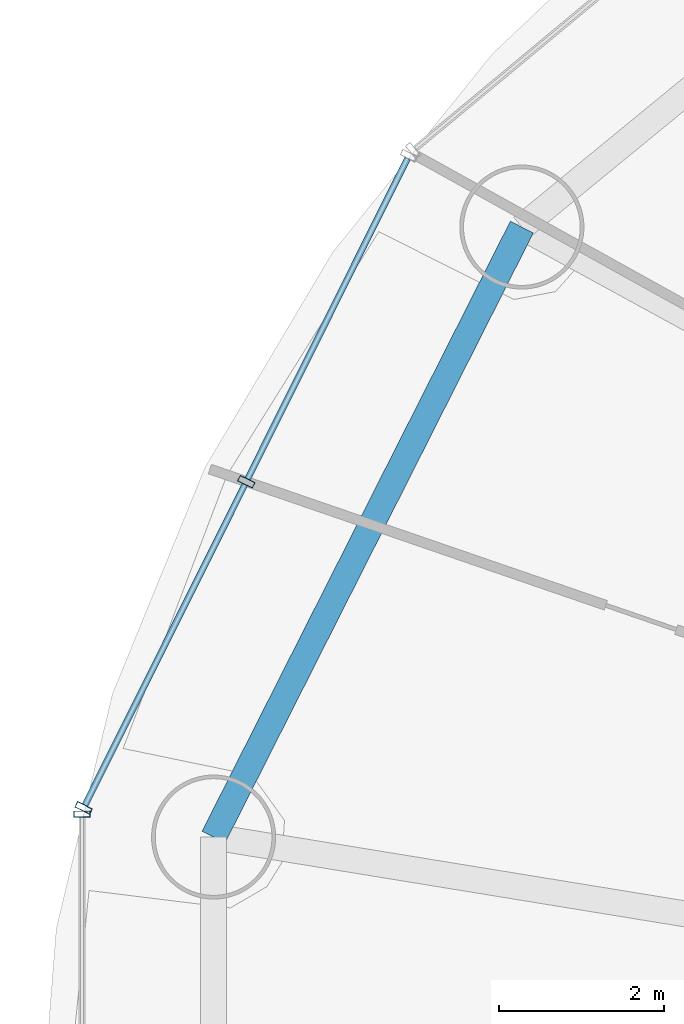
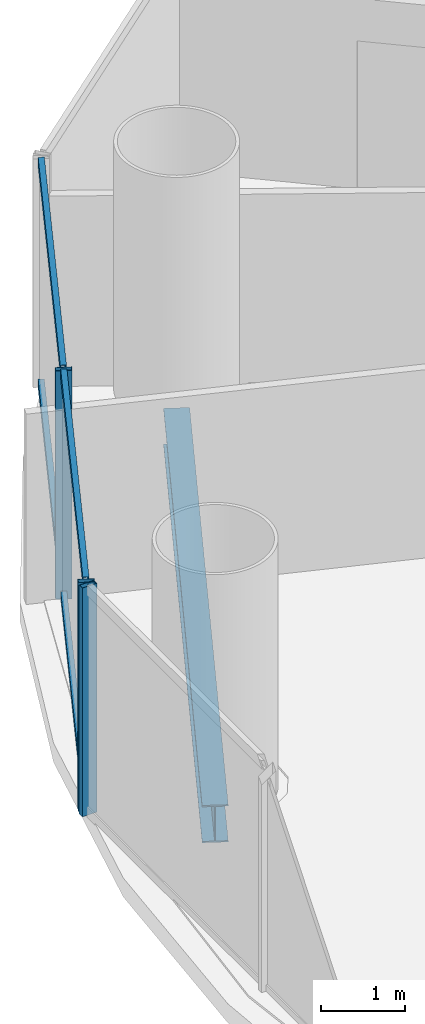
# One storey, part 9 of 29: 7 members, 1 beam, 2 elements without a shape of their own.
"""IFC4 building model written with IfcOpenShell, lengths in metres."""

import ifcopenshell
import ifcopenshell.guid

model = None  # the IFC model being written
_history = None  # IfcOwnerHistory: only IFC2X3 demands one
_inside = {}  # id of a spatial element -> (the spatial element, [elements in it])
_under = {}  # id of a project, library or spatial element -> (it, [spatial elements below it])
_declared = {}  # id of a project -> (the project, [libraries it declares])
_typed = {}  # id of a type object -> (the type object, [elements of that type])
_made_of = {}  # id of a material, layer set ... -> (it, [elements and type objects made of it])


def new_model(schema):
    """Start an empty IFC model of exactly this schema.

    Asked for "IFC4X3", IfcOpenShell would pick the latest addendum, in which some entities
    have other attributes; the version numbers below select the first issue.
    IFC2X3 requires an IfcOwnerHistory on every rooted entity: one is made here for all.
    """
    global model, _history
    if schema == "IFC4X3":
        model = ifcopenshell.file(schema_version=(4, 3, 0, 0))
    else:
        model = ifcopenshell.file(schema=schema)
    _inside.clear()
    _under.clear()
    _declared.clear()
    _typed.clear()
    _made_of.clear()
    _history = None
    if model.schema == "IFC2X3":
        org = make("IfcOrganization", Name="unknown")
        user = make(
            "IfcPersonAndOrganization",
            ThePerson=make("IfcPerson", FamilyName="unknown"),
            TheOrganization=org,
        )
        app = make(
            "IfcApplication",
            ApplicationDeveloper=org,
            Version="unknown",
            ApplicationFullName="unknown",
            ApplicationIdentifier="unknown",
        )
        _history = make(
            "IfcOwnerHistory",
            OwningUser=user,
            OwningApplication=app,
            ChangeAction="ADDED",
            CreationDate=0,
        )
    return model


def make(cls, **values):
    """One entity of the class cls with the attributes given. An attribute that is None is left unset."""
    return model.create_entity(
        cls, **{name: value for name, value in values.items() if value is not None}
    )


def rooted(cls, **values):
    """An entity with a GlobalId (a new one), such as an element, a storey or a relation."""
    return make(cls, GlobalId=ifcopenshell.guid.new(), OwnerHistory=_history, **values)


def si_unit(unit_type, name, prefix=None):
    """IfcSIUnit, for example si_unit("LENGTHUNIT", "METRE", prefix="MILLI")."""
    return make("IfcSIUnit", UnitType=unit_type, Prefix=prefix, Name=name)


def assignment(units):
    """IfcUnitAssignment: the units of a project."""
    return None if units is None else make("IfcUnitAssignment", Units=units)


def point(xyz):
    """IfcCartesianPoint."""
    return None if xyz is None else make("IfcCartesianPoint", Coordinates=xyz)


def direction(xyz):
    """IfcDirection."""
    return None if xyz is None else make("IfcDirection", DirectionRatios=xyz)


def frame(location, z_axis=None, x_axis=None):
    """IfcAxis2Placement3D, a coordinate frame: its origin and axes. An axis left out is left unset."""
    return make(
        "IfcAxis2Placement3D",
        Location=point(location),
        Axis=direction(z_axis),
        RefDirection=direction(x_axis),
    )


def frame_2d(location, x_axis=None):
    """IfcAxis2Placement2D, a coordinate frame in the plane: its origin and x axis."""
    return make(
        "IfcAxis2Placement2D", Location=point(location), RefDirection=direction(x_axis)
    )


def origin():
    """The frame at (0, 0, 0) with its axes left unset."""
    return frame((0.0, 0.0, 0.0))


def origin_2d():
    """The frame at (0, 0) in the plane with its x axis left unset."""
    return frame_2d((0.0, 0.0))


def place(relative_to, where):
    """IfcLocalPlacement: puts the frame where relative to a parent placement (None: the world)."""
    return make(
        "IfcLocalPlacement", PlacementRelTo=relative_to, RelativePlacement=where
    )


def context(
    kind, dimensions, precision=None, world=None, true_north=None, identifier=None
):
    """IfcGeometricRepresentationContext, for example the 3D "Model" context."""
    return make(
        "IfcGeometricRepresentationContext",
        ContextIdentifier=identifier,
        ContextType=kind,
        CoordinateSpaceDimension=dimensions,
        Precision=precision,
        WorldCoordinateSystem=world,
        TrueNorth=true_north,
    )


def subcontext(parent, identifier, kind, view, scale=None):
    """IfcGeometricRepresentationSubContext, for example "Body" below "Model"."""
    return make(
        "IfcGeometricRepresentationSubContext",
        ContextIdentifier=identifier,
        ContextType=kind,
        ParentContext=parent,
        TargetScale=scale,
        TargetView=view,
    )


def project(units=None, contexts=None):
    """IfcProject with its units and contexts."""
    return rooted(
        "IfcProject",
        Name="project",
        RepresentationContexts=contexts,
        UnitsInContext=assignment(units),
    )


def spatial(cls, under=None, at=None, **own):
    """A site, building, storey or space (cls), placed at a placement, below another one or the project."""
    s = rooted(cls, ObjectPlacement=at, **own)
    if under is not None:
        _under.setdefault(under.id(), (under, []))[1].append(s)
    return s


def profile(cls, at=None, kind="AREA", **sizes):
    """A parametric profile (cls). Its sizes go by their IFC names, for example OverallWidth=200.0."""
    return make(cls, ProfileType=kind, Position=at, **sizes)


def hollow_rectangle(**sizes):
    """IfcRectangleHollowProfileDef."""
    return profile("IfcRectangleHollowProfileDef", **sizes)


def i_section(**sizes):
    """IfcIShapeProfileDef."""
    return profile("IfcIShapeProfileDef", **sizes)


def extrude(swept, where, along, depth):
    """IfcExtrudedAreaSolid: the profile swept, set in the frame where, extruded along a direction by depth."""
    return make(
        "IfcExtrudedAreaSolid",
        SweptArea=swept,
        Position=where,
        ExtrudedDirection=direction(along),
        Depth=depth,
    )


def shape(context_of_items, identifier, shape_type, items):
    """IfcShapeRepresentation: the items that make up one representation, for example the "Body"."""
    return make(
        "IfcShapeRepresentation",
        ContextOfItems=context_of_items,
        RepresentationIdentifier=identifier,
        RepresentationType=shape_type,
        Items=items,
    )


def source(mapping_origin, context_of_items, identifier, shape_type, items):
    """IfcRepresentationMap: a shape defined once, which mapped items show again and again."""
    return make(
        "IfcRepresentationMap",
        MappingOrigin=mapping_origin,
        MappedRepresentation=shape(context_of_items, identifier, shape_type, items),
    )


def transform(
    local_origin,
    x_axis=None,
    y_axis=None,
    z_axis=None,
    scale=None,
    scale2=None,
    scale3=None,
    uniform=True,
):
    """IfcCartesianTransformationOperator3D, or its non-uniform kind. x_axis, y_axis, z_axis: its Axis1, 2, 3."""
    if uniform:
        return make(
            "IfcCartesianTransformationOperator3D",
            Axis1=direction(x_axis),
            Axis2=direction(y_axis),
            LocalOrigin=point(local_origin),
            Scale=scale,
            Axis3=direction(z_axis),
        )
    return make(
        "IfcCartesianTransformationOperator3DnonUniform",
        Axis1=direction(x_axis),
        Axis2=direction(y_axis),
        LocalOrigin=point(local_origin),
        Scale=scale,
        Axis3=direction(z_axis),
        Scale2=scale2,
        Scale3=scale3,
    )


def mapped(mapping_source, mapping_target):
    """IfcMappedItem: shows the shape of a source again, moved by a transform."""
    return make(
        "IfcMappedItem", MappingSource=mapping_source, MappingTarget=mapping_target
    )


def material(Name=None, Category=None):
    """IfcMaterial."""
    return make("IfcMaterial", Name=Name, Category=Category)


def material_profile(
    of_material, cross_section, Name=None, Category=None, Priority=None
):
    """IfcMaterialProfile: a cross section and its material."""
    return make(
        "IfcMaterialProfile",
        Name=Name,
        Material=of_material,
        Profile=cross_section,
        Priority=Priority,
        Category=Category,
    )


def profile_set(profiles, Name=None, composite=None):
    """IfcMaterialProfileSet."""
    return make(
        "IfcMaterialProfileSet",
        Name=Name,
        MaterialProfiles=profiles,
        CompositeProfile=composite,
    )


def made_of(thing, what):
    """Note that an element or type object is made of a material, layer set ...; save() writes the relation."""
    if what is not None:
        _made_of.setdefault(what.id(), (what, []))[1].append(thing)
    return thing


def type_object(cls, material=None, **own):
    """A type object (cls), such as IfcWallType, which elements share."""
    return made_of(rooted(cls, **own), material)


def element(
    cls,
    number,
    at=None,
    inside=None,
    cuts=None,
    type_object=None,
    material=None,
    context=None,
    identifier="Body",
    shape_type=None,
    held_by="IfcProductDefinitionShape",
    body=None,
    shapes=None,
    **own,
):
    """One element of the class cls, such as IfcWall. Its Tag is "e" and its number.

    at: its placement. inside: the storey or other place that contains it. cuts: it is an
    opening in that element (IfcRelVoidsElement). A single representation is given by context,
    identifier, shape_type and body (its items); several are given by shapes. held_by: the class
    of the entity that holds the representations. save() writes the other relations.
    """
    e = rooted(cls, Tag="e%d" % number, ObjectPlacement=at, **own)
    if body is not None:
        shapes = [shape(context, identifier, shape_type, body)]
    if shapes is not None:
        e.Representation = make(held_by, Representations=shapes)
    if inside is not None:
        _inside.setdefault(inside.id(), (inside, []))[1].append(e)
    if cuts is not None:
        rooted(
            "IfcRelVoidsElement", RelatingBuildingElement=cuts, RelatedOpeningElement=e
        )
    if type_object is not None:
        _typed.setdefault(type_object.id(), (type_object, []))[1].append(e)
    return made_of(e, material)


def aggregate(whole, parts):
    """IfcRelAggregates: a whole, such as a stair, and the parts it consists of."""
    return rooted("IfcRelAggregates", RelatingObject=whole, RelatedObjects=parts)


def save(model, path):
    """Write the relations noted so far, then the file.

    IfcRelAggregates (storeys below a building ...), IfcRelContainedInSpatialStructure (elements
    in a storey), IfcRelDefinesByType, IfcRelAssociatesMaterial and IfcRelDeclares: one each for
    every whole, place, type object, material and project.
    """
    for whole, parts in _under.values():
        aggregate(whole, parts)
    for where, things in _inside.values():
        rooted(
            "IfcRelContainedInSpatialStructure",
            RelatedElements=things,
            RelatingStructure=where,
        )
    for kind, things in _typed.values():
        rooted("IfcRelDefinesByType", RelatedObjects=things, RelatingType=kind)
    for what, things in _made_of.values():
        rooted("IfcRelAssociatesMaterial", RelatedObjects=things, RelatingMaterial=what)
    for by, libraries in _declared.values():
        rooted("IfcRelDeclares", RelatingContext=by, RelatedDefinitions=libraries)
    model.write(path)


model = new_model("IFC4")

# Units and contexts
model_context = context("Model", 3, precision=1e-05, world=origin(), true_north=direction((-0.2419218956, 0.970295726276)))
body_context = subcontext(model_context, "Body", "Model", "MODEL_VIEW")
ifc_project = project(units=[si_unit("LENGTHUNIT", "METRE"), si_unit("AREAUNIT", "SQUARE_METRE"), si_unit("VOLUMEUNIT", "CUBIC_METRE"), si_unit("PLANEANGLEUNIT", "RADIAN"), si_unit("MASSUNIT", "GRAM", prefix="KILO")], contexts=[model_context])

# Site, building, storey
site_placement = place(None, origin())
site = spatial("IfcSite", under=ifc_project, at=site_placement, CompositionType="ELEMENT")
building_placement = place(site_placement, origin())
building = spatial("IfcBuilding", under=site, at=building_placement, Name="Cobrevalo Terracotta Tower", CompositionType="ELEMENT")
storey_placement = place(building_placement, frame((0.0, 0.0, 79.800048828125)))
storey = spatial("IfcBuildingStorey", under=building, at=storey_placement, Name="L20", CompositionType="ELEMENT", Elevation=79.800048828125)

# Beam
ifc_material_1 = material(Name="Steel S355", Category="steel")
ifc_material_profile_1 = material_profile(ifc_material_1, i_section(OverallWidth=0.31201171875, OverallDepth=0.54296875, WebThickness=0.0126953125, FlangeThickness=0.020263671875, at=origin_2d()), Name="W 530x150")
ifc_profile_set_1 = profile_set([ifc_material_profile_1], Name="Steel S355")
beam_type = type_object("IfcBeamType", Name="Structural Spandrel W 530x150 (Steel S355)", PredefinedType="SPANDREL", material=ifc_profile_set_1)
beam_placement = place(storey_placement, frame((17.2548828125, 38.161376953125, -0.546630859375), z_axis=(-0.451051982172, -0.892497680321, 0.0), x_axis=(0.892497680321, -0.451051982172, 0.0)))
element("IfcBeam", 1, at=beam_placement, inside=storey, type_object=beam_type, Name="L20 perimeter ring spandrel 07", PredefinedType="SPANDREL", context=body_context, shape_type="SweptSolid", body=[
    extrude(i_section(OverallWidth=0.31201171875, OverallDepth=0.54296875, WebThickness=0.0126953125, FlangeThickness=0.020263671875, at=origin_2d()), origin(), (0.0, 0.0, 1.0), 8.259765625),
])

# Curtain wall, members
ifc_material_2 = material(Name="Anodized aluminium", Category="aluminium")
curtain_wall_type = type_object("IfcCurtainWallType", Name="Lower-tower unitised acoustic low-E curtain wall CW-U1", PredefinedType="NOTDEFINED", material=ifc_material_2)
curtain_wall_1_placement = place(storey_placement, origin())
curtain_wall_1 = element("IfcCurtainWall", 2, at=curtain_wall_1_placement, inside=storey, type_object=curtain_wall_type, Name="L20 curtain wall CW-L20-S07", PredefinedType="NOTDEFINED")
ifc_material_profile_2 = material_profile(ifc_material_2, hollow_rectangle(XDim=0.074951171875, YDim=0.199951171875, WallThickness=0.0048828125, at=origin_2d()), Name="CWM 75x200")
ifc_profile_set_2 = profile_set([ifc_material_profile_2], Name="Anodized aluminium")
member_type_1 = type_object("IfcMemberType", Name="Lower/mid tower unitised mullion 75x200", PredefinedType="MULLION", material=ifc_profile_set_2)
shared_shape_1 = source(origin(), body_context, "Body", "SweptSolid", [
    extrude(hollow_rectangle(XDim=0.074951171875, YDim=0.199951171875, WallThickness=0.0048828125, at=origin_2d()), origin(), (0.0, 0.0, 1.0), 3.324951171875),
])
member_1_placement = place(storey_placement, frame((13.924072265625, 35.08349609375, 0.0), z_axis=(0.0, 0.0, 1.0), x_axis=(-0.446260290227, -0.894903208937, 0.0)))
member_1 = element("IfcMember", 3, at=member_1_placement, type_object=member_type_1, Name="CW-L20-S07 vertical mullion 02", PredefinedType="MULLION", context=body_context, shape_type="MappedRepresentation", body=[
    mapped(shared_shape_1, transform((0.0, 0.0, 0.0), scale=1.0)),
])
member_2_placement = place(storey_placement, frame((11.95849609375, 31.141357421875, 0.0), z_axis=(0.0, 0.0, 1.0), x_axis=(-0.446260290227, -0.894903208937, 0.0)))
member_2 = element("IfcMember", 4, at=member_2_placement, type_object=member_type_1, Name="CW-L20-S07 vertical mullion 03", PredefinedType="MULLION", context=body_context, shape_type="MappedRepresentation", body=[
    mapped(shared_shape_1, transform((0.0, 0.0, 0.0), scale=1.0)),
])

# Curtain wall, member
curtain_wall_2_placement = place(storey_placement, origin())
curtain_wall_2 = element("IfcCurtainWall", 5, at=curtain_wall_2_placement, inside=storey, type_object=curtain_wall_type, Name="L20 curtain wall CW-L20-S08", PredefinedType="NOTDEFINED")
member_3_placement = place(storey_placement, frame((11.9404296875, 31.065673828125, 0.0), z_axis=(0.0, 0.0, 1.0), x_axis=(0.0, -1.0, 0.0)))
member_3 = element("IfcMember", 6, at=member_3_placement, type_object=member_type_1, Name="CW-L20-S08 vertical mullion 01", PredefinedType="MULLION", context=body_context, shape_type="MappedRepresentation", body=[
    mapped(shared_shape_1, transform((0.0, 0.0, 0.0), scale=1.0)),
])
aggregate(curtain_wall_2, [member_3])

# Member
ifc_material_profile_3 = material_profile(ifc_material_2, hollow_rectangle(XDim=0.074951171875, YDim=0.14990234375, WallThickness=0.00439453125, at=origin_2d()), Name="CWT 75x150")
ifc_profile_set_3 = profile_set([ifc_material_profile_3], Name="Anodized aluminium")
member_type_2 = type_object("IfcMemberType", Name="Tower unitised aluminium transom 75x150", PredefinedType="USERDEFINED", material=ifc_profile_set_3)
shared_shape_2 = source(origin(), body_context, "Body", "SweptSolid", [
    extrude(hollow_rectangle(XDim=0.074951171875, YDim=0.14990234375, WallThickness=0.00439453125, at=origin_2d()), origin(), (0.0, 0.0, 1.0), 4.324951171875),
])
member_4_placement = place(storey_placement, frame((15.8720703125, 38.98974609375, 0.050048828125), z_axis=(-0.44624238083, -0.894912139571, 0.0), x_axis=(0.894912139571, -0.44624238083, 0.0)))
member_4 = element("IfcMember", 7, at=member_4_placement, type_object=member_type_2, Name="CW-L20-S07 transom B01-T1", ObjectType="TRANSOM", PredefinedType="USERDEFINED", context=body_context, shape_type="MappedRepresentation", body=[
    mapped(shared_shape_2, transform((0.0, 0.0, 0.0), scale=1.0)),
])

member_5_placement = place(storey_placement, frame((15.8720703125, 38.98974609375, 3.27490234375), z_axis=(-0.44624238083, -0.894912139571, 0.0), x_axis=(0.894912139571, -0.44624238083, 0.0)))
member_5 = element("IfcMember", 8, at=member_5_placement, type_object=member_type_2, Name="CW-L20-S07 transom B01-T2", ObjectType="TRANSOM", PredefinedType="USERDEFINED", context=body_context, shape_type="MappedRepresentation", body=[
    mapped(shared_shape_2, transform((0.0, 0.0, 0.0), scale=1.0)),
])

member_6_placement = place(storey_placement, frame((13.90625, 35.0478515625, 0.050048828125), z_axis=(-0.446219838389, -0.894923379864, 0.0), x_axis=(0.894923379864, -0.446219838389, 0.0)))
member_6 = element("IfcMember", 9, at=member_6_placement, type_object=member_type_2, Name="CW-L20-S07 transom B02-T1", ObjectType="TRANSOM", PredefinedType="USERDEFINED", context=body_context, shape_type="MappedRepresentation", body=[
    mapped(shared_shape_2, transform((0.0, 0.0, 0.0), scale=1.0)),
])

member_7_placement = place(storey_placement, frame((13.90625, 35.0478515625, 3.27490234375), z_axis=(-0.446219838389, -0.894923379864, 0.0), x_axis=(0.894923379864, -0.446219838389, 0.0)))
member_7 = element("IfcMember", 10, at=member_7_placement, type_object=member_type_2, Name="CW-L20-S07 transom B02-T2", ObjectType="TRANSOM", PredefinedType="USERDEFINED", context=body_context, shape_type="MappedRepresentation", body=[
    mapped(shared_shape_2, transform((0.0, 0.0, 0.0), scale=1.0)),
])

aggregate(curtain_wall_1, [member_1, member_2, member_4, member_5, member_6, member_7])

save(model, "model.ifc")
